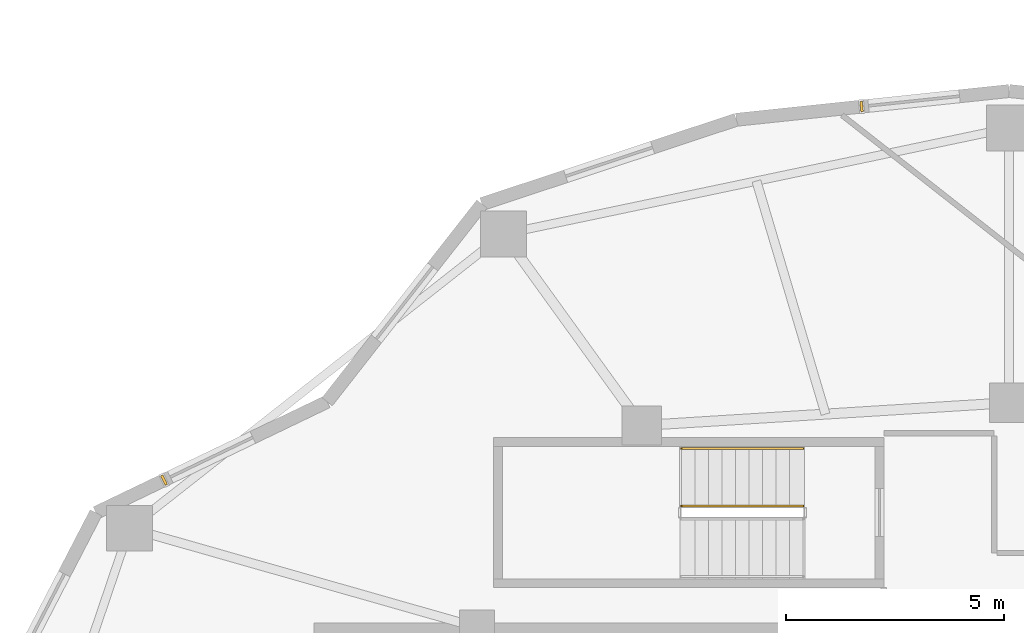
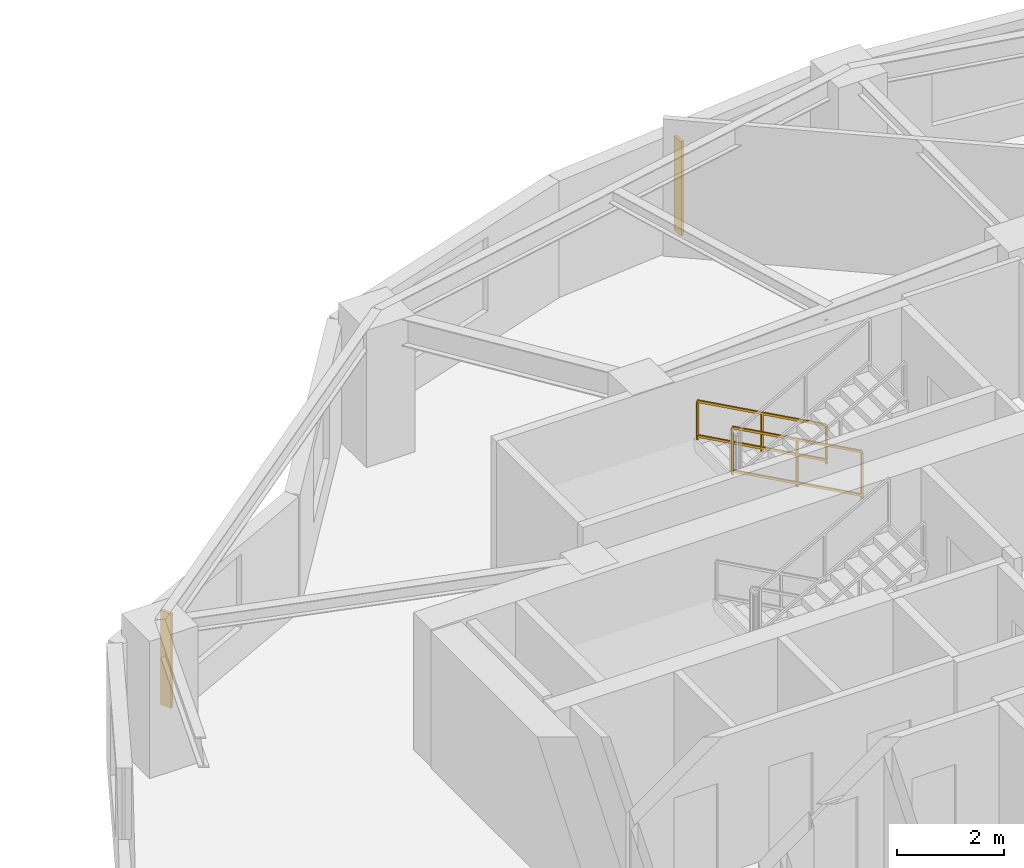
# One storey, part 13 of 14: 2 railings, 2 shading devices.
"""IFC4 building model written with IfcOpenShell, lengths in metres."""

from ifc_helpers import new_model, si_unit, direction, frame, origin, origin_2d, place, context, subcontext, project, spatial, rectangle, extrude, material, type_object, element, save


model = new_model("IFC4")

# Units and contexts
model_context = context("Model", 3, precision=1e-05, world=origin(), true_north=direction((0.0, 1.0)))
body_context = subcontext(model_context, "Body", "Model", "MODEL_VIEW")
ifc_project = project(units=[si_unit("LENGTHUNIT", "METRE"), si_unit("AREAUNIT", "SQUARE_METRE"), si_unit("VOLUMEUNIT", "CUBIC_METRE"), si_unit("PLANEANGLEUNIT", "RADIAN"), si_unit("MASSUNIT", "GRAM", prefix="KILO")], contexts=[model_context])

# Site, building, storey
site_placement = place(None, origin())
site = spatial("IfcSite", under=ifc_project, at=site_placement, CompositionType="ELEMENT")
building_placement = place(site_placement, origin())
building = spatial("IfcBuilding", under=site, at=building_placement, Name="Kolvaren Gate Tower and Convention Centre", CompositionType="ELEMENT")
storey_placement = place(building_placement, frame((0.0, 0.0, 112.10009765625)))
storey = spatial("IfcBuildingStorey", under=building, at=storey_placement, Name="L27", CompositionType="ELEMENT", Elevation=112.10009765625)

# Railings
ifc_material_1 = material(Name="Brushed Stainless Steel Grade 316L", Category="steel")
railing_type_1 = type_object("IfcRailingType", Name="ARCH-RL-GUARD-1150", PredefinedType="GUARDRAIL", material=ifc_material_1)
railing_1_placement = place(storey_placement, frame((25.39990234375, 36.830078125, 0.169921875)))
element("IfcRailing", 1, at=railing_1_placement, inside=storey, type_object=railing_type_1, Name="L27 ST-T3 stair guard 1", PredefinedType="GUARDRAIL", context=body_context, shape_type="SweptSolid", body=[
    extrude(rectangle(XDim=0.048095703125, YDim=0.048095703125, at=origin_2d()), frame((0.0, 0.0, 1.076171875), z_axis=(-0.8767936245, 0.0, 0.480866863109), x_axis=(0.0, -1.0, 0.0)), (0.0, 0.0, 1.0), 3.181884765625),
    extrude(rectangle(XDim=0.048095703125, YDim=0.048095703125, at=origin_2d()), frame((0.0, 0.0, 0.083984375), z_axis=(-0.8767936245, 0.0, 0.480866863109), x_axis=(0.0, -1.0, 0.0)), (0.0, 0.0, 1.0), 3.181884765625),
    extrude(rectangle(XDim=0.0419921875, YDim=0.0419921875, at=origin_2d()), origin(), (0.0, 0.0, 1.0), 1.050048828125),
    extrude(rectangle(XDim=0.0419921875, YDim=0.0419921875, at=origin_2d()), frame((-2.789794921875, 0.0, 1.530029296875)), (0.0, 0.0, 1.0), 1.050048828125),
    extrude(rectangle(XDim=0.0419921875, YDim=0.0419921875, at=origin_2d()), frame((-1.39501953125, 0.0, 0.76513671875)), (0.0, 0.0, 1.0), 1.050048828125),
])
railing_type_2 = type_object("IfcRailingType", Name="ARCH-RL-HANDRAIL-920", PredefinedType="HANDRAIL", material=ifc_material_1)
railing_2_placement = place(storey_placement, frame((25.39990234375, 38.14990234375, 0.169921875)))
element("IfcRailing", 2, at=railing_2_placement, inside=storey, type_object=railing_type_2, Name="L27 ST-T3 stair handrail 1", PredefinedType="HANDRAIL", context=body_context, shape_type="SweptSolid", body=[
    extrude(rectangle(XDim=0.048095703125, YDim=0.048095703125, at=origin_2d()), frame((0.0, 0.0, 0.8759765625), z_axis=(-0.8767936245, 0.0, 0.480866863109), x_axis=(0.0, -1.0, 0.0)), (0.0, 0.0, 1.0), 3.181884765625),
    extrude(rectangle(XDim=0.048095703125, YDim=0.048095703125, at=origin_2d()), frame((0.0, 0.0, 0.083984375), z_axis=(-0.8767936245, 0.0, 0.480866863109), x_axis=(0.0, -1.0, 0.0)), (0.0, 0.0, 1.0), 3.181884765625),
    extrude(rectangle(XDim=0.0419921875, YDim=0.0419921875, at=origin_2d()), origin(), (0.0, 0.0, 1.0), 0.849853515625),
    extrude(rectangle(XDim=0.0419921875, YDim=0.0419921875, at=origin_2d()), frame((-2.789794921875, 0.0, 1.530029296875)), (0.0, 0.0, 1.0), 0.849853515625),
    extrude(rectangle(XDim=0.0419921875, YDim=0.0419921875, at=origin_2d()), frame((-1.39501953125, 0.0, 0.76513671875)), (0.0, 0.0, 1.0), 0.849853515625),
])

# Shading devices
ifc_material_2 = material(Name="Kiln-Fired Bogota Terracotta Ceramic Louvre Profile", Category="masonry")
shading_device_type = type_object("IfcShadingDeviceType", Name="ARCH-SHD-FIN-180", PredefinedType="JALOUSIE", material=ifc_material_2)
for number, where, z_axis, x_axis, name in (
    (3, (26.739013671875, 45.993408203125, 0.219970703125), (0.0, 0.0, 1.0), (0.994499981166, 0.104736753152, 0.0), "Ceramic Vertical Brise-Soleil Fin FN-L27-06"),
    (4, (10.7392578125, 37.425048828125, 0.219970703125), (0.0, 0.0, 1.0), (0.901362925045, 0.433064518696, 0.0), "Ceramic Vertical Brise-Soleil Fin FN-L27-09"),
):
    element("IfcShadingDevice", number, at=place(storey_placement, frame(where, z_axis=z_axis, x_axis=x_axis)), inside=storey, type_object=shading_device_type, Name=name, PredefinedType="JALOUSIE", context=body_context, shape_type="SweptSolid", body=[
        extrude(rectangle(XDim=0.06005859375, YDim=0.239990234375, at=origin_2d()), origin(), (0.0, 0.0, 1.0), 2.14990234375),
    ])

save(model, "model.ifc")
